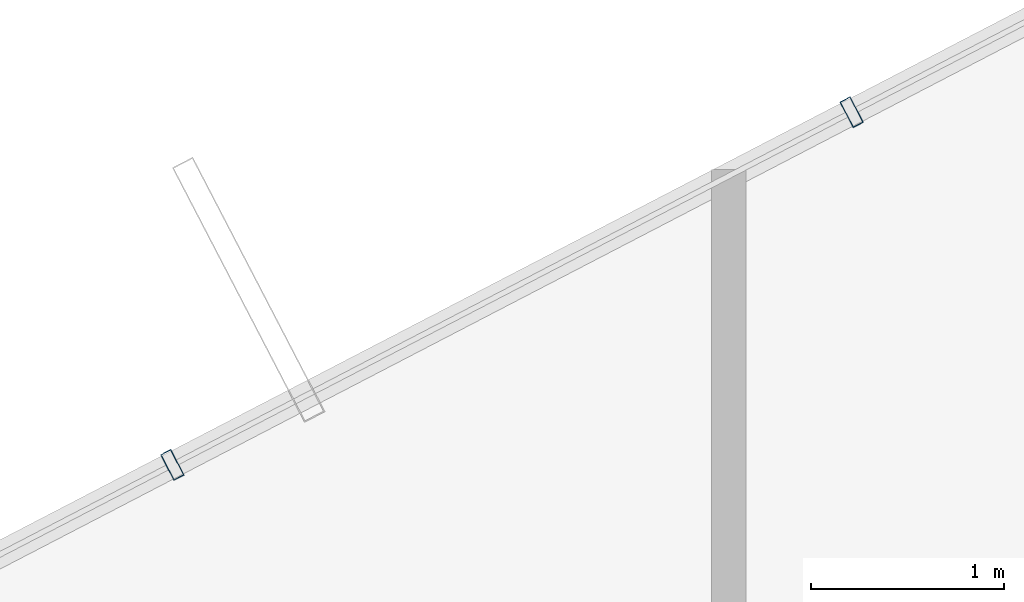
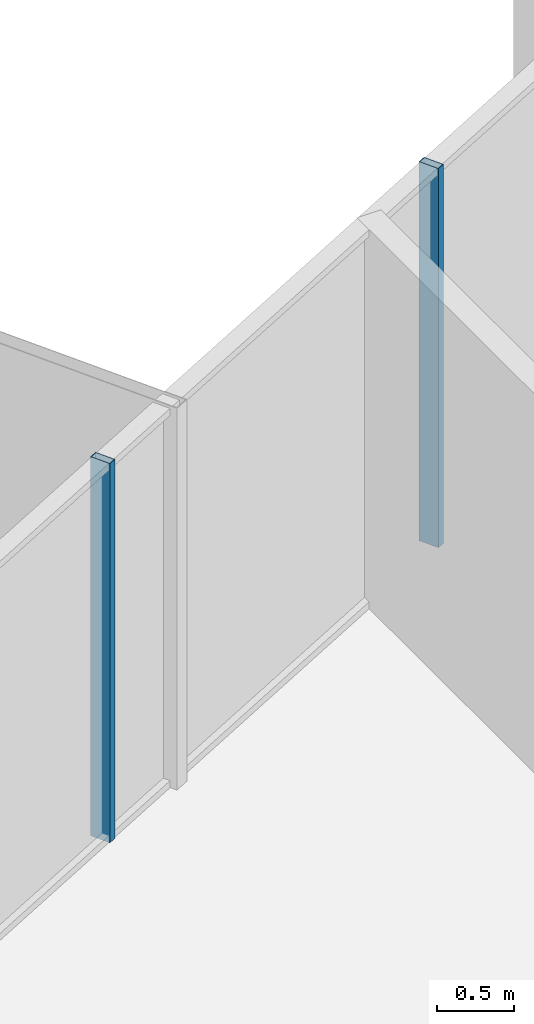
# One storey, part 18 of 29: 2 members, 1 element without a shape of its own.
"""IFC4 building model written with IfcOpenShell, lengths in metres."""

from ifc_helpers import new_model, si_unit, direction, frame, origin, origin_2d, place, context, subcontext, project, spatial, hollow_rectangle, extrude, source, transform, mapped, material, layer, layer_set, material_profile, profile_set, type_object, element, aggregate, save


model = new_model("IFC4")

# Units and contexts
model_context = context("Model", 3, precision=1e-05, world=origin(), true_north=direction((0.0, 1.0)))
body_context = subcontext(model_context, "Body", "Model", "MODEL_VIEW")
ifc_project = project(units=[si_unit("LENGTHUNIT", "METRE"), si_unit("AREAUNIT", "SQUARE_METRE"), si_unit("VOLUMEUNIT", "CUBIC_METRE"), si_unit("PLANEANGLEUNIT", "RADIAN"), si_unit("MASSUNIT", "GRAM", prefix="KILO")], contexts=[model_context])

# Site, building, storey
site_placement = place(None, origin())
site = spatial("IfcSite", under=ifc_project, at=site_placement, CompositionType="ELEMENT")
building_placement = place(site_placement, origin())
building = spatial("IfcBuilding", under=site, at=building_placement, Name="Veraguas Prism Commons", CompositionType="ELEMENT")
storey_placement = place(building_placement, frame((0.0, 0.0, 215.64990234375)))
storey = spatial("IfcBuildingStorey", under=building, at=storey_placement, Name="L61", CompositionType="ELEMENT", Elevation=215.64990234375)

# Curtain wall, members
ifc_material = material(Name="Anodised aluminium EN AW-6063 T6", Category="aluminium")
ifc_layer = layer(ifc_material, 0.14990234375, Name="Unitised Flush Curtain Wall Zone 3", Category="aluminium")
ifc_layer_set = layer_set([ifc_layer], Name="Anodised aluminium EN AW-6063 T6")
curtain_wall_type = type_object("IfcCurtainWallType", Name="Unitised Flush Curtain Wall Zone 3", PredefinedType="NOTDEFINED", material=ifc_layer_set)
curtain_wall_placement = place(storey_placement, origin())
curtain_wall = element("IfcCurtainWall", 1, at=curtain_wall_placement, inside=storey, type_object=curtain_wall_type, Name="Tower Facade Curtain Wall L61-F2", PredefinedType="NOTDEFINED")
ifc_material_profile = material_profile(ifc_material, hollow_rectangle(XDim=0.06005859375, YDim=0.14990234375, WallThickness=0.0029296875, at=origin_2d()), Name="AL60X150X3")
ifc_profile_set = profile_set([ifc_material_profile], Name="Anodised aluminium EN AW-6063 T6")
member_type = type_object("IfcMemberType", Name="Curtain Wall Mullion Upper AL 60x150x3", PredefinedType="MULLION", material=ifc_profile_set)
shared_shape = source(origin(), body_context, "Body", "SweptSolid", [
    extrude(hollow_rectangle(XDim=0.06005859375, YDim=0.14990234375, WallThickness=0.0029296875, at=origin_2d()), origin(), (0.0, 0.0, 1.0), 3.01513671875),
])
member_1_placement = place(storey_placement, frame((15.8388671875, 39.7177734375, 0.0), z_axis=(0.0, 0.0, 1.0), x_axis=(-0.887493888749, -0.46081948465, 0.0)))
member_1 = element("IfcMember", 2, at=member_1_placement, type_object=member_type, Name="CW-Z3 Mullion 3", PredefinedType="MULLION", context=body_context, shape_type="MappedRepresentation", body=[
    mapped(shared_shape, transform((0.0, 0.0, 0.0), scale=1.0)),
])
member_2_placement = place(storey_placement, frame((12.310546875, 37.8857421875, 0.0), z_axis=(0.0, 0.0, 1.0), x_axis=(-0.887493888749, -0.46081948465, 0.0)))
member_2 = element("IfcMember", 3, at=member_2_placement, type_object=member_type, Name="CW-Z3 Mullion 4", PredefinedType="MULLION", context=body_context, shape_type="MappedRepresentation", body=[
    mapped(shared_shape, transform((0.0, 0.0, 0.0), scale=1.0)),
])
aggregate(curtain_wall, [member_1, member_2])

save(model, "model.ifc")
